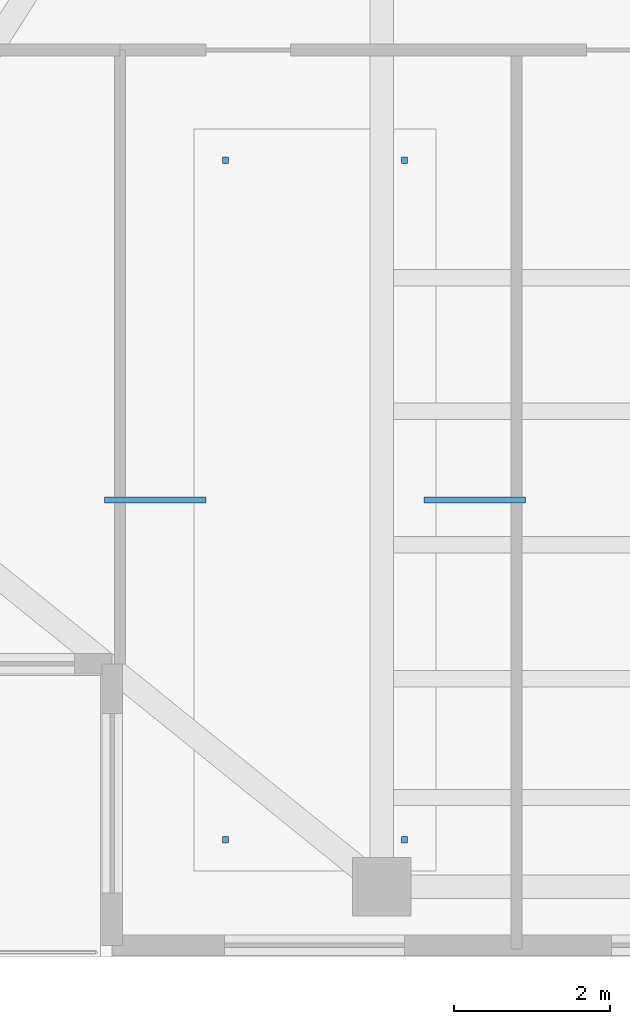
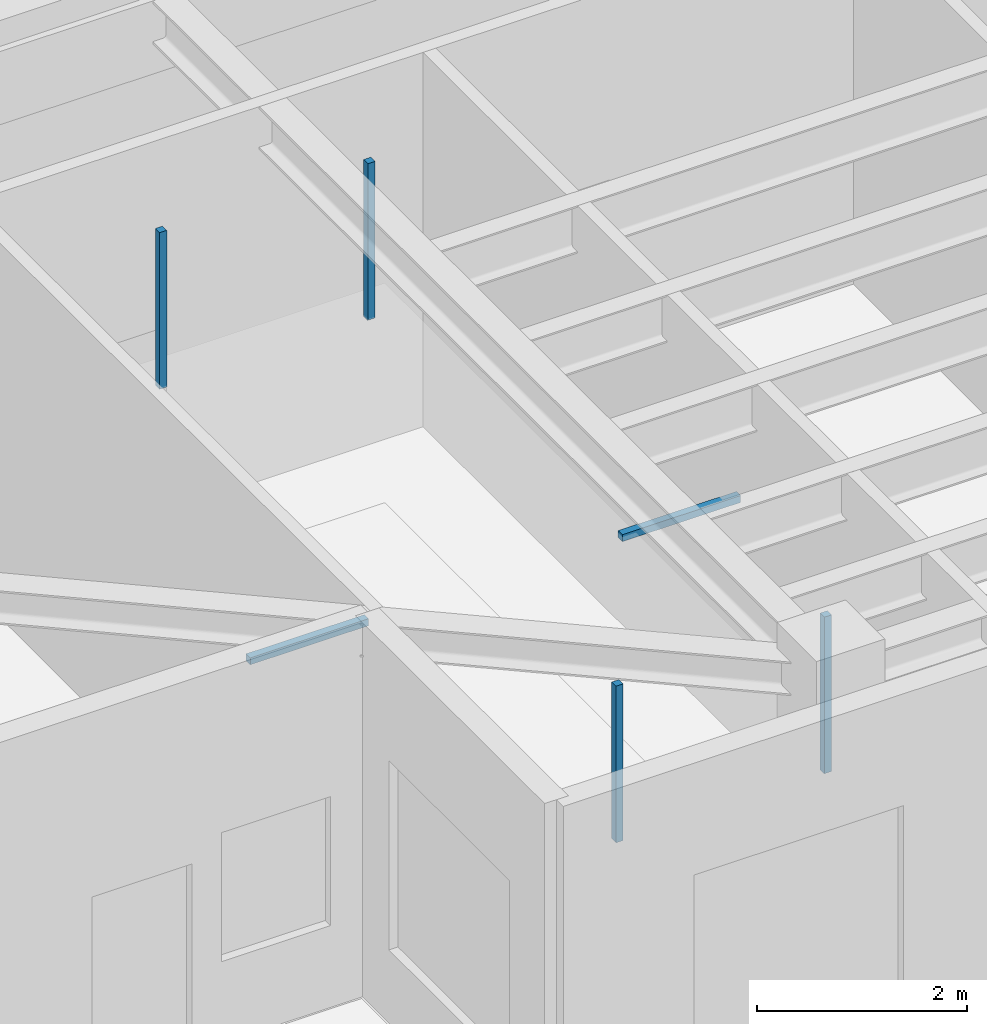
# One storey, part 16 of 23: 6 discrete accessories.
"""IFC4 building model written with IfcOpenShell, lengths in metres."""

from ifc_helpers import new_model, si_unit, direction, frame, origin, origin_2d, place, context, subcontext, project, spatial, rectangle, extrude, material, type_object, element, save


model = new_model("IFC4")

# Units and contexts
model_context = context("Model", 3, precision=1e-05, world=origin(), true_north=direction((0.0, 1.0)))
body_context = subcontext(model_context, "Body", "Model", "MODEL_VIEW")
ifc_project = project(units=[si_unit("LENGTHUNIT", "METRE"), si_unit("AREAUNIT", "SQUARE_METRE"), si_unit("VOLUMEUNIT", "CUBIC_METRE"), si_unit("PLANEANGLEUNIT", "RADIAN"), si_unit("MASSUNIT", "GRAM", prefix="KILO")], contexts=[model_context])

# Site, building, storey
site_placement = place(None, origin())
site = spatial("IfcSite", under=ifc_project, at=site_placement, CompositionType="ELEMENT")
building_placement = place(site_placement, origin())
building = spatial("IfcBuilding", under=site, at=building_placement, Name="Tarnavaz Court Tower", CompositionType="ELEMENT")
storey_placement = place(building_placement, frame((0.0, 0.0, 227.10009765625)))
storey = spatial("IfcBuildingStorey", under=building, at=storey_placement, Name="L62", CompositionType="ELEMENT", Elevation=227.10009765625)

# Discrete accessories
ifc_material = material(Name="Anodised Aluminium 6063-T6", Category="aluminium")
discrete_accessory_type = type_object("IfcDiscreteAccessoryType", Name="DA-BRKT-ALU", PredefinedType="BRACKET", material=ifc_material)
for number, where, z_axis, x_axis, name in (
    (1, (-17.0, -19.5, 2.56005859375), (0.0, 0.0, 1.0), (1.0, 0.0, 0.0), "L62 Ceiling Suspension Hanger Bracket 04-1"),
    (2, (-14.7099609375, -19.5, 2.56005859375), (0.0, 0.0, 1.0), (1.0, 0.0, 0.0), "L62 Ceiling Suspension Hanger Bracket 04-2"),
    (3, (-14.7099609375, -10.81005859375, 2.56005859375), (0.0, 0.0, 1.0), (1.0, 0.0, 0.0), "L62 Ceiling Suspension Hanger Bracket 04-3"),
    (4, (-17.0, -10.81005859375, 2.56005859375), (0.0, 0.0, 1.0), (1.0, 0.0, 0.0), "L62 Ceiling Suspension Hanger Bracket 04-4"),
):
    element("IfcDiscreteAccessory", number, at=place(storey_placement, frame(where, z_axis=z_axis, x_axis=x_axis)), inside=storey, type_object=discrete_accessory_type, Name=name, PredefinedType="BRACKET", context=body_context, shape_type="SweptSolid", body=[
        extrude(rectangle(XDim=0.080078125, YDim=0.080078125, at=origin_2d()), origin(), (0.0, 0.0, 1.0), 1.820068359375),
    ])
for number, where, z_axis, x_axis, name in (
    (5, (-17.89990234375, -15.155029296875, 2.5224609375), (0.0, 0.0, 1.0), (1.0, 0.0, 0.0), "L62 Ceiling Perimeter Wall-Tie Bracket 04-1"),
    (6, (-13.81005859375, -15.155029296875, 2.5224609375), (0.0, 0.0, 1.0), (1.0, 0.0, 0.0), "L62 Ceiling Perimeter Wall-Tie Bracket 04-2"),
):
    element("IfcDiscreteAccessory", number, at=place(storey_placement, frame(where, z_axis=z_axis, x_axis=x_axis)), inside=storey, type_object=discrete_accessory_type, Name=name, PredefinedType="BRACKET", context=body_context, shape_type="SweptSolid", body=[
        extrude(rectangle(XDim=1.300048828125, YDim=0.080078125, at=origin_2d()), origin(), (0.0, 0.0, 1.0), 0.080078125),
    ])

save(model, "model.ifc")
